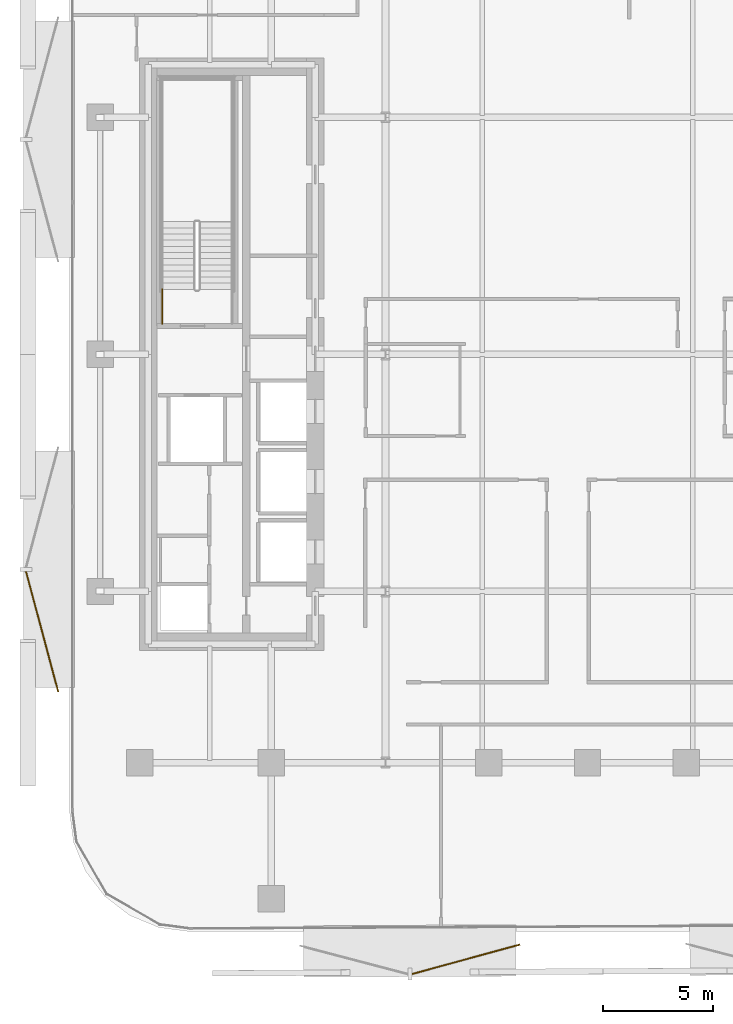
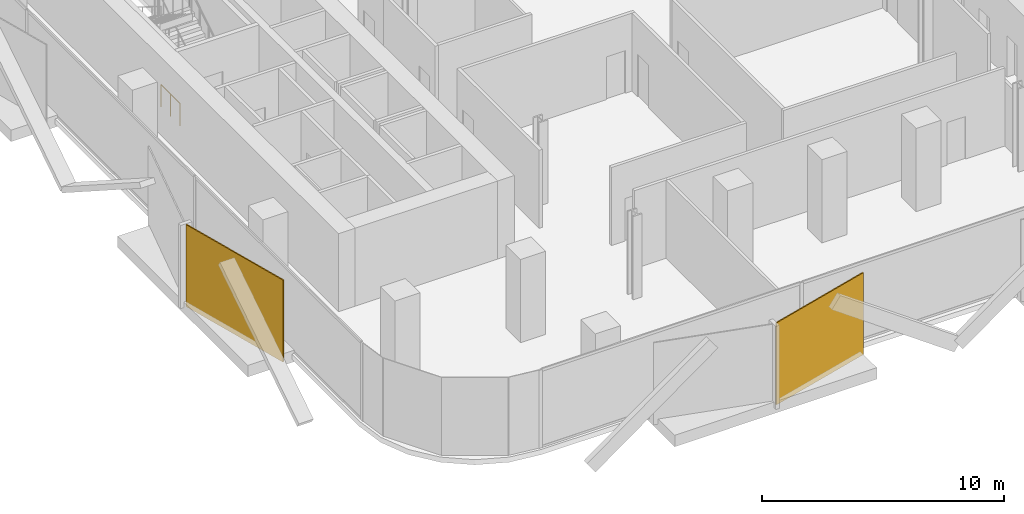
# One storey, part 11 of 15: 2 coverings, 1 railing.
"""IFC4 building model written with IfcOpenShell, lengths in metres."""

from ifc_helpers import new_model, si_unit, direction, frame, origin, origin_2d, place, context, subcontext, project, spatial, rectangle, circle, extrude, material, layer, layer_set, type_object, element, save


model = new_model("IFC4")

# Units and contexts
model_context = context("Model", 3, precision=1e-05, world=origin(), true_north=direction((0.0, 1.0)))
body_context = subcontext(model_context, "Body", "Model", "MODEL_VIEW")
ifc_project = project(units=[si_unit("LENGTHUNIT", "METRE"), si_unit("AREAUNIT", "SQUARE_METRE"), si_unit("VOLUMEUNIT", "CUBIC_METRE"), si_unit("PLANEANGLEUNIT", "RADIAN"), si_unit("MASSUNIT", "GRAM", prefix="KILO")], contexts=[model_context])

# Site, building, storey
site_placement = place(None, origin())
site = spatial("IfcSite", under=ifc_project, at=site_placement, CompositionType="ELEMENT")
building_placement = place(site_placement, origin())
building = spatial("IfcBuilding", under=site, at=building_placement, Name="Khairoan Windgate Tower", CompositionType="ELEMENT")
storey_placement = place(building_placement, frame((0.0, 0.0, 131.0)))
storey = spatial("IfcBuildingStorey", under=building, at=storey_placement, Name="L30", CompositionType="ELEMENT", Elevation=131.0)

# Coverings
ifc_material_1 = material(Name="Anodised Bronze Aluminium 6063-T6", Category="aluminium")
ifc_layer = layer(ifc_material_1, 0.054931640625, Name="Anodised Bronze Aluminium 6063-T6")
ifc_layer_set = layer_set([ifc_layer], Name="Anodised Bronze Aluminium 6063-T6")
covering_type = type_object("IfcCoveringType", Name="Perforated Bronze-Ceramic Folded Solar Screen Cladding BSC-1", PredefinedType="CLADDING", material=ifc_layer_set)
covering_1_placement = place(storey_placement, frame((-5.53564453125, -27.55859375, -0.10009765625), z_axis=(0.0, 0.0, 1.0), x_axis=(-0.964649468762, -0.263536339841, 0.0)))
element("IfcCovering", 1, at=covering_1_placement, inside=storey, type_object=covering_type, Name="L30 Folded Bronze Solar Screen Facet 186L", PredefinedType="CLADDING", context=body_context, shape_type="SweptSolid", body=[
    extrude(rectangle(XDim=5.10107421875, YDim=0.054931640625, at=origin_2d()), origin(), (0.0, 0.0, 1.0), 4.139892578125),
])
covering_2_placement = place(storey_placement, frame((-24.8447265625, -12.629150390625, -0.10009765625), z_axis=(0.0, 0.0, 1.0), x_axis=(-0.258819045103, 0.965925826289, 0.0)))
element("IfcCovering", 2, at=covering_2_placement, inside=storey, type_object=covering_type, Name="L30 Folded Bronze Solar Screen Facet 187L", PredefinedType="CLADDING", context=body_context, shape_type="SweptSolid", body=[
    extrude(rectangle(XDim=5.680908203125, YDim=0.054931640625, at=origin_2d()), origin(), (0.0, 0.0, 1.0), 4.139892578125),
])

# Railing
ifc_material_2 = material(Name="Steel S355", Category="steel")
railing_type = type_object("IfcRailingType", Name="Stairwell Safety Guardrail SGR-1150", PredefinedType="GUARDRAIL", material=ifc_material_2)
railing_placement = place(storey_placement, frame((-19.3701171875, 1.39990234375, 0.0)))
element("IfcRailing", 3, at=railing_placement, inside=storey, type_object=railing_type, Name="L30 ST2 stair guard 9", PredefinedType="GUARDRAIL", context=body_context, shape_type="SweptSolid", body=[
    extrude(circle(Radius=0.02392578125, at=origin_2d()), frame((0.0, 0.0, 1.1259765625), z_axis=(0.0, 1.0, 0.0), x_axis=(-1.0, 0.0, 0.0)), (0.0, 0.0, 1.0), 1.56005859375),
    extrude(circle(Radius=0.02099609375, at=origin_2d()), origin(), (0.0, 0.0, 1.0), 1.101806640625),
    extrude(circle(Radius=0.02099609375, at=origin_2d()), frame((0.0, 0.780029296875, 0.0)), (0.0, 0.0, 1.0), 1.101806640625),
    extrude(circle(Radius=0.02099609375, at=origin_2d()), frame((0.0, 1.56005859375, 0.0)), (0.0, 0.0, 1.0), 1.101806640625),
])

save(model, "model.ifc")
